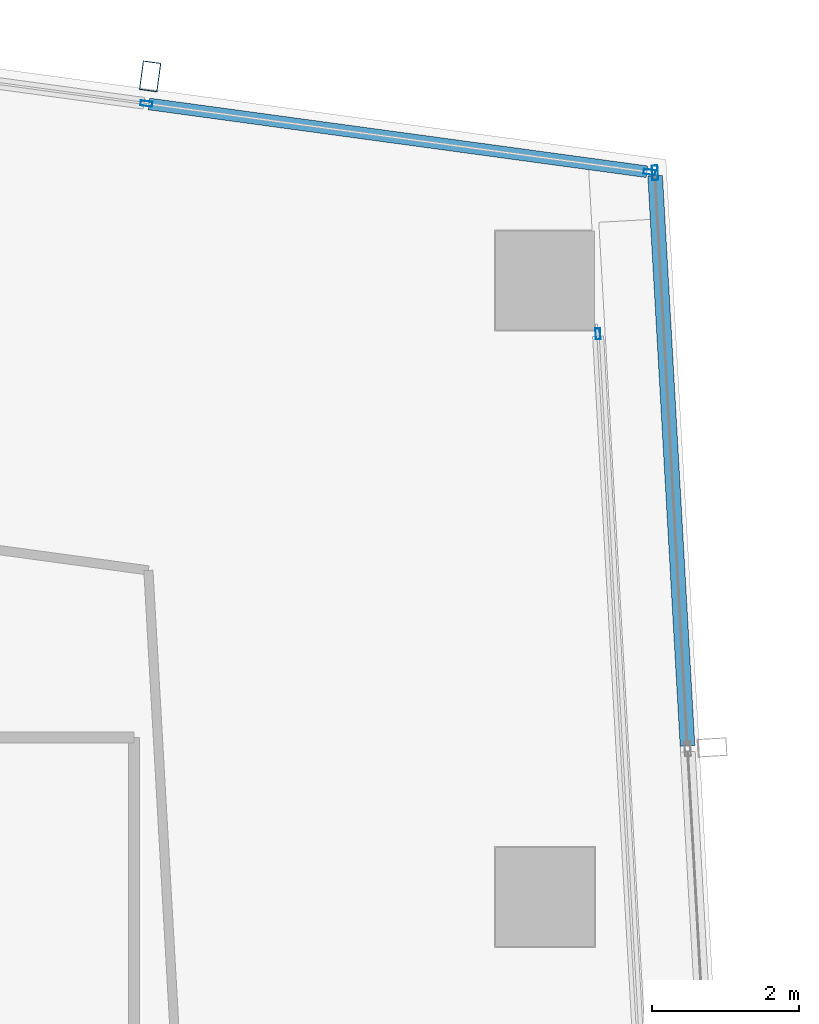
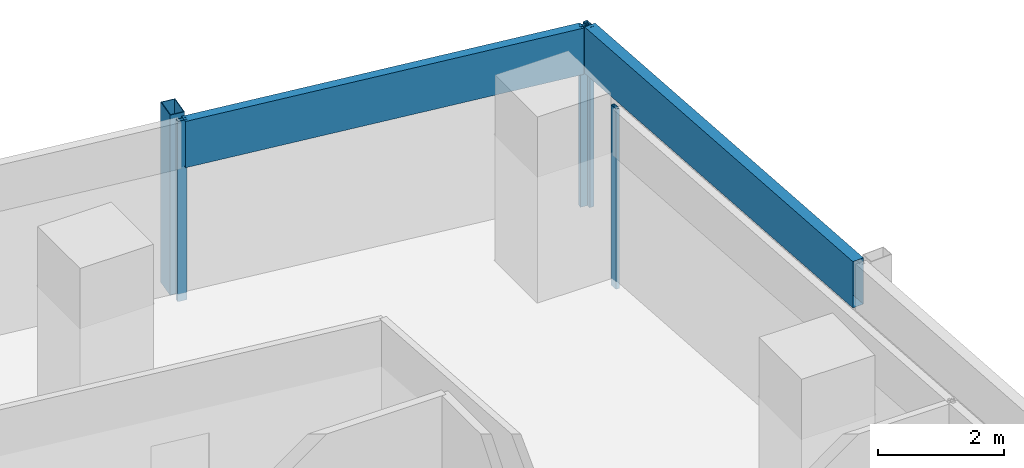
# One storey, part 23 of 39: 7 members, 3 elements without a shape of their own.
"""IFC4 building model written with IfcOpenShell, lengths in metres."""

from ifc_helpers import new_model, si_unit, direction, frame, origin, origin_2d, place, context, subcontext, project, spatial, hollow_rectangle, extrude, material, material_profile, profile_set, type_object, element, aggregate, save


model = new_model("IFC4")

# Units and contexts
model_context = context("Model", 3, precision=1e-05, world=origin(), true_north=direction((0.0, 1.0)))
body_context = subcontext(model_context, "Body", "Model", "MODEL_VIEW")
ifc_project = project(units=[si_unit("LENGTHUNIT", "METRE"), si_unit("AREAUNIT", "SQUARE_METRE"), si_unit("VOLUMEUNIT", "CUBIC_METRE"), si_unit("PLANEANGLEUNIT", "RADIAN"), si_unit("MASSUNIT", "GRAM", prefix="KILO")], contexts=[model_context])

# Site, building, storey
site_placement = place(None, origin())
site = spatial("IfcSite", under=ifc_project, at=site_placement, CompositionType="ELEMENT")
building_placement = place(site_placement, origin())
building = spatial("IfcBuilding", under=site, at=building_placement, Name="Rekha Terrace Tower", CompositionType="ELEMENT")
storey_placement = place(building_placement, frame((0.0, 0.0, 221.449951171875)))
storey = spatial("IfcBuildingStorey", under=building, at=storey_placement, Name="L56", CompositionType="ELEMENT", Elevation=221.449951171875)

# Curtain wall, member
ifc_material_1 = material(Name="Aluminium framing", Category="aluminium")
curtain_wall_type_1 = type_object("IfcCurtainWallType", Name="CW3 north unitised glazing", PredefinedType="USERDEFINED", material=ifc_material_1)
curtain_wall_1_placement = place(storey_placement, origin())
curtain_wall_1 = element("IfcCurtainWall", 1, at=curtain_wall_1_placement, inside=storey, type_object=curtain_wall_type_1, Name="CW3 unitised curtain wall", ObjectType="UNITISED CURTAIN WALL", PredefinedType="USERDEFINED")
ifc_material_2 = material(Name="Steel S355 with fluorocarbon finish", Category="steel")
ifc_material_profile_1 = material_profile(ifc_material_2, hollow_rectangle(XDim=0.25, YDim=0.39990234375, WallThickness=0.012451171875, at=origin_2d()), Name="RHS400x250x12.5")
ifc_profile_set_1 = profile_set([ifc_material_profile_1], Name="Steel S355 with fluorocarbon finish")
member_type_1 = type_object("IfcMemberType", Name="BL1 facade blade RHS 400 x 250", PredefinedType="USERDEFINED", material=ifc_profile_set_1)
member_1_placement = place(storey_placement, frame((53.419921875, 61.583251953125, 0.0), z_axis=(0.0, 0.0, 1.0), x_axis=(-0.990867309488, 0.134840553943, 0.0)))
member_1 = element("IfcMember", 2, at=member_1_placement, type_object=member_type_1, Name="Facade blade", ObjectType="FACADE BLADE", PredefinedType="USERDEFINED", context=body_context, shape_type="SweptSolid", body=[
    extrude(hollow_rectangle(XDim=0.25, YDim=0.39990234375, WallThickness=0.012451171875, at=origin_2d()), origin(), (0.0, 0.0, 1.0), 3.5),
])

curtain_wall_type_2 = type_object("IfcCurtainWallType", Name="CW1 double skin inner glazing", PredefinedType="USERDEFINED", material=ifc_material_1)
curtain_wall_2_placement = place(storey_placement, origin())
curtain_wall_2 = element("IfcCurtainWall", 3, at=curtain_wall_2_placement, inside=storey, type_object=curtain_wall_type_2, Name="CW1 double skin inner glazing", ObjectType="DOUBLE SKIN INNER GLAZING", PredefinedType="USERDEFINED")
ifc_material_3 = material(Name="Aluminium mullion section", Category="aluminium")
ifc_material_profile_2 = material_profile(ifc_material_3, hollow_rectangle(XDim=0.06494140625, YDim=0.14990234375, WallThickness=0.00390625, at=origin_2d()), Name="AL RHS 65x150")
ifc_profile_set_2 = profile_set([ifc_material_profile_2], Name="Aluminium mullion section")
member_type_2 = type_object("IfcMemberType", Name="CW1 mullion RHS 65 x 150", PredefinedType="MULLION", material=ifc_profile_set_2)
member_2_placement = place(storey_placement, frame((59.523193359375, 58.0751953125, 0.0), z_axis=(0.0, 0.0, 1.0), x_axis=(-0.998392782919, -0.05667319486, 0.0)))
member_2 = element("IfcMember", 4, at=member_2_placement, type_object=member_type_2, Name="CW1 mullion 4", PredefinedType="MULLION", context=body_context, shape_type="SweptSolid", body=[
    extrude(hollow_rectangle(XDim=0.06494140625, YDim=0.14990234375, WallThickness=0.00390625, at=origin_2d()), origin(), (0.0, 0.0, 1.0), 3.5),
])
aggregate(curtain_wall_2, [member_2])

# Curtain wall, members
curtain_wall_type_3 = type_object("IfcCurtainWallType", Name="CW2 double skin outer glazing", PredefinedType="USERDEFINED", material=ifc_material_1)
curtain_wall_3_placement = place(storey_placement, origin())
curtain_wall_3 = element("IfcCurtainWall", 5, at=curtain_wall_3_placement, inside=storey, type_object=curtain_wall_type_3, Name="CW2 double skin outer glazing", ObjectType="DOUBLE SKIN OUTER GLAZING", PredefinedType="USERDEFINED")
ifc_material_profile_3 = material_profile(ifc_material_3, hollow_rectangle(XDim=0.080078125, YDim=0.199951171875, WallThickness=0.00390625, at=origin_2d()), Name="AL RHS 80x200")
ifc_profile_set_3 = profile_set([ifc_material_profile_3], Name="Aluminium mullion section")
member_type_3 = type_object("IfcMemberType", Name="CW2 mullion RHS 80 x 200", PredefinedType="MULLION", material=ifc_profile_set_3)
member_3_placement = place(storey_placement, frame((60.300048828125, 60.269287109375, 0.0), z_axis=(0.0, 0.0, 1.0), x_axis=(-0.998392782919, -0.05667319486, 0.0)))
member_3 = element("IfcMember", 6, at=member_3_placement, type_object=member_type_3, Name="CW2 mullion 5", PredefinedType="MULLION", context=body_context, shape_type="SweptSolid", body=[
    extrude(hollow_rectangle(XDim=0.080078125, YDim=0.199951171875, WallThickness=0.00390625, at=origin_2d()), origin(), (0.0, 0.0, 1.0), 3.5),
])
ifc_material_4 = material(Name="Insulated aluminium spandrel box", Category="aluminium")
ifc_material_profile_4 = material_profile(ifc_material_4, hollow_rectangle(XDim=0.199951171875, YDim=0.89990234375, WallThickness=0.0029296875, at=origin_2d()), Name="AL SPANDREL BOX 200x900")
ifc_profile_set_4 = profile_set([ifc_material_profile_4], Name="Insulated aluminium spandrel box")
member_type_4 = type_object("IfcMemberType", Name="CW2 spandrel transom 200 x 900", PredefinedType="USERDEFINED", material=ifc_profile_set_4)
member_4_placement = place(storey_placement, frame((60.743408203125, 52.45849609375, 3.050048828125), z_axis=(-0.05667908121, 0.998392448766, 0.0), x_axis=(-0.998392448766, -0.05667908121, 0.0)))
member_4 = element("IfcMember", 7, at=member_4_placement, type_object=member_type_4, Name="CW2 spandrel transom 4", ObjectType="TRANSOM", PredefinedType="USERDEFINED", context=body_context, shape_type="SweptSolid", body=[
    extrude(hollow_rectangle(XDim=0.199951171875, YDim=0.89990234375, WallThickness=0.0029296875, at=origin_2d()), origin(), (0.0, 0.0, 1.0), 7.783447265625),
])
aggregate(curtain_wall_3, [member_3, member_4])

# Member
ifc_material_profile_5 = material_profile(ifc_material_3, hollow_rectangle(XDim=0.070068359375, YDim=0.159912109375, WallThickness=0.00390625, at=origin_2d()), Name="AL RHS 70x160")
ifc_profile_set_5 = profile_set([ifc_material_profile_5], Name="Aluminium mullion section")
member_type_5 = type_object("IfcMemberType", Name="CW3 mullion RHS 70 x 160", PredefinedType="MULLION", material=ifc_profile_set_5)
member_5_placement = place(storey_placement, frame((60.22509765625, 60.27880859375, 0.0), z_axis=(0.0, 0.0, 1.0), x_axis=(-0.134840840416, -0.990867270504, 0.0)))
member_5 = element("IfcMember", 8, at=member_5_placement, type_object=member_type_5, Name="CW3 mullion 1", PredefinedType="MULLION", context=body_context, shape_type="SweptSolid", body=[
    extrude(hollow_rectangle(XDim=0.070068359375, YDim=0.159912109375, WallThickness=0.00390625, at=origin_2d()), origin(), (0.0, 0.0, 1.0), 3.5),
])

member_6_placement = place(storey_placement, frame((53.369384765625, 61.211669921875, 0.0), z_axis=(0.0, 0.0, 1.0), x_axis=(-0.134840840416, -0.990867270504, 0.0)))
member_6 = element("IfcMember", 9, at=member_6_placement, type_object=member_type_5, Name="CW3 mullion 2", PredefinedType="MULLION", context=body_context, shape_type="SweptSolid", body=[
    extrude(hollow_rectangle(XDim=0.070068359375, YDim=0.159912109375, WallThickness=0.00390625, at=origin_2d()), origin(), (0.0, 0.0, 1.0), 3.5),
])

ifc_material_profile_6 = material_profile(ifc_material_4, hollow_rectangle(XDim=0.159912109375, YDim=0.89990234375, WallThickness=0.0029296875, at=origin_2d()), Name="AL SPANDREL BOX 160x900")
ifc_profile_set_6 = profile_set([ifc_material_profile_6], Name="Insulated aluminium spandrel box")
member_type_6 = type_object("IfcMemberType", Name="CW3 spandrel transom 160 x 900", PredefinedType="USERDEFINED", material=ifc_profile_set_6)
member_7_placement = place(storey_placement, frame((60.190185546875, 60.283447265625, 3.050048828125), z_axis=(-0.990865276141, 0.134855495022, 0.0), x_axis=(-0.134855495022, -0.990865276141, 0.0)))
member_7 = element("IfcMember", 10, at=member_7_placement, type_object=member_type_6, Name="CW3 spandrel transom 1", ObjectType="TRANSOM", PredefinedType="USERDEFINED", context=body_context, shape_type="SweptSolid", body=[
    extrude(hollow_rectangle(XDim=0.159912109375, YDim=0.89990234375, WallThickness=0.0029296875, at=origin_2d()), origin(), (0.0, 0.0, 1.0), 6.8486328125),
])

aggregate(curtain_wall_1, [member_5, member_6, member_7, member_1])

save(model, "model.ifc")
